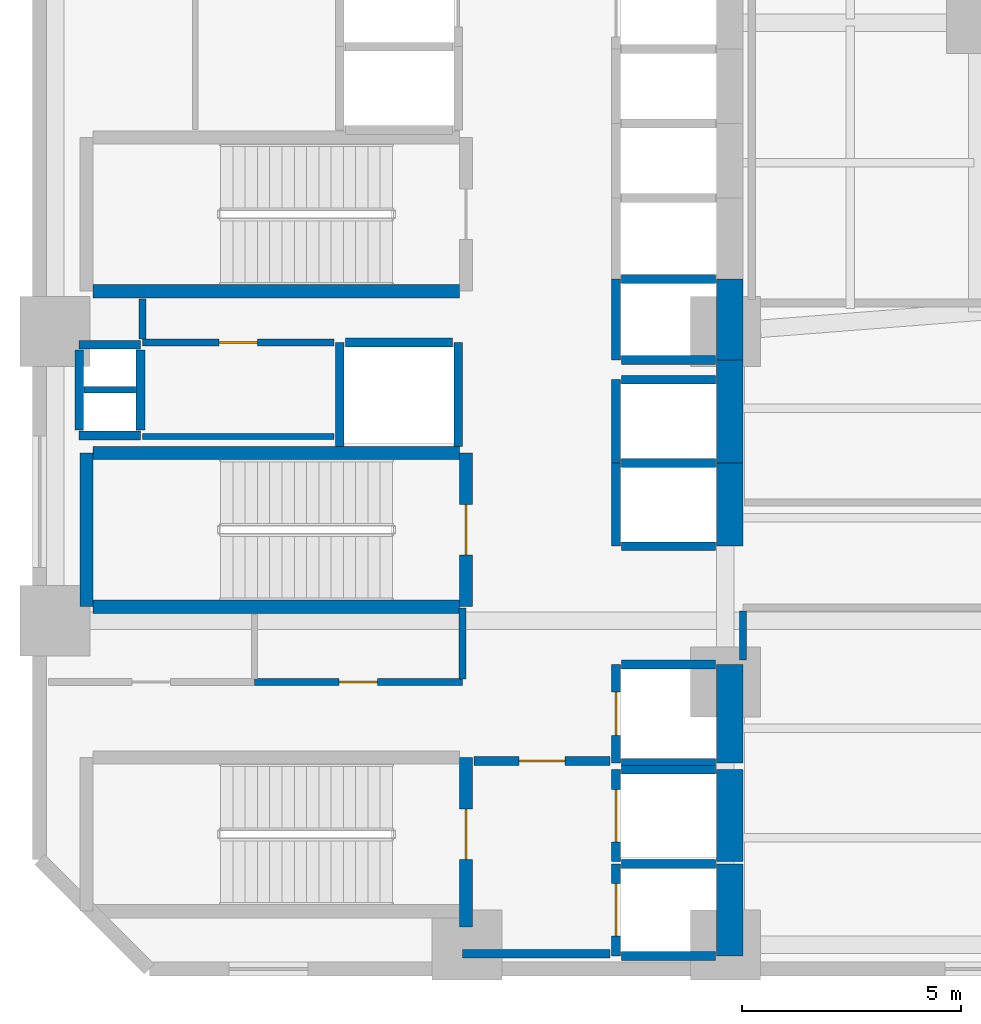
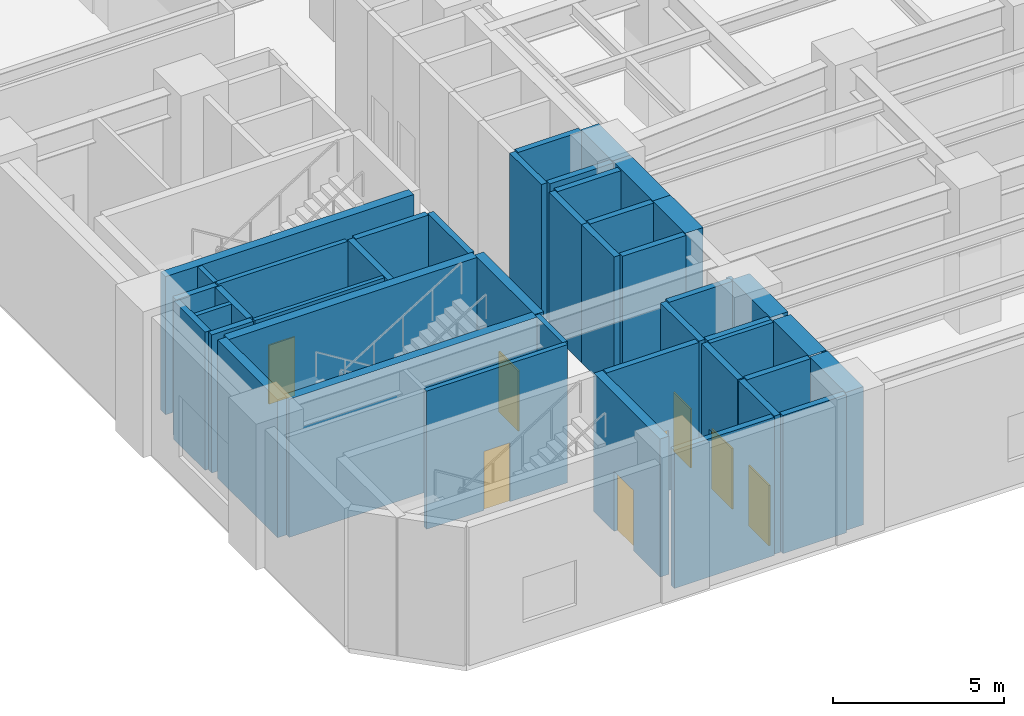
# One storey, part 14 of 22: 44 walls, 8 doors, 8 openings.
"""IFC4 building model written with IfcOpenShell, lengths in metres."""

from ifc_helpers import new_model, si_unit, direction, frame, frame_2d, origin, place, context, subcontext, project, spatial, rectangle, extrude, material, layer, layer_set, type_object, element, fill, save


model = new_model("IFC4")

# Units and contexts
model_context = context("Model", 3, precision=1e-05, world=origin(), true_north=direction((0.0, 1.0)))
body_context = subcontext(model_context, "Body", "Model", "MODEL_VIEW")
ifc_project = project(units=[si_unit("LENGTHUNIT", "METRE"), si_unit("AREAUNIT", "SQUARE_METRE"), si_unit("VOLUMEUNIT", "CUBIC_METRE"), si_unit("PLANEANGLEUNIT", "RADIAN"), si_unit("MASSUNIT", "GRAM", prefix="KILO")], contexts=[model_context])

# Site, building, storey
site_placement = place(None, origin())
site = spatial("IfcSite", under=ifc_project, at=site_placement, CompositionType="ELEMENT")
building_placement = place(site_placement, origin())
building = spatial("IfcBuilding", under=site, at=building_placement, Name="Mawjaban Terraces University", CompositionType="ELEMENT")
storey_placement = place(building_placement, frame((0.0, 0.0, 10.39990234375)))
storey = spatial("IfcBuildingStorey", under=building, at=storey_placement, Name="L02", CompositionType="ELEMENT", Elevation=10.39990234375)

# Walls
ifc_material_1 = material(Name="Concrete C70/85", Category="concrete")
ifc_layer_1 = layer(ifc_material_1, 0.60009765625)
ifc_layer_set_1 = layer_set([ifc_layer_1], Name="Concrete C70/85")
wall_type_1 = type_object("IfcWallType", Name="CoreShearWall_600", PredefinedType="SHEAR", material=ifc_layer_set_1)
wall_1_placement = place(storey_placement, frame((37.75, 0.300048828125, 0.0), z_axis=(0.0, 0.0, 1.0), x_axis=(0.0, 1.0, 0.0)))
element("IfcWall", 1, at=wall_1_placement, inside=storey, type_object=wall_type_1, Name="L02 Lift FL-1 Hoistway Wall East", PredefinedType="SHEAR", context=body_context, shape_type="SweptSolid", body=[
    extrude(rectangle(XDim=2.099853515625, YDim=0.60009765625, at=frame_2d((1.0498046875, 0.0))), origin(), (0.0, 0.0, 1.0), 4.920166015625),
])
wall_2_placement = place(storey_placement, frame((37.75, 2.449951171875, 0.0), z_axis=(0.0, 0.0, 1.0), x_axis=(0.0, 1.0, 0.0)))
element("IfcWall", 2, at=wall_2_placement, inside=storey, type_object=wall_type_1, Name="L02 Lift FL-2 Hoistway Wall East", PredefinedType="SHEAR", context=body_context, shape_type="SweptSolid", body=[
    extrude(rectangle(XDim=2.10009765625, YDim=0.60009765625, at=frame_2d((1.050048828125, 0.0))), origin(), (0.0, 0.0, 1.0), 4.920166015625),
])
wall_3_placement = place(storey_placement, frame((37.75, 4.699951171875, 0.0), z_axis=(0.0, 0.0, 1.0), x_axis=(0.0, 1.0, 0.0)))
element("IfcWall", 3, at=wall_3_placement, inside=storey, type_object=wall_type_1, Name="L02 Lift SL-1 Hoistway Wall East", PredefinedType="SHEAR", context=body_context, shape_type="SweptSolid", body=[
    extrude(rectangle(XDim=2.25, YDim=0.60009765625, at=frame_2d((1.125, 0.0))), origin(), (0.0, 0.0, 1.0), 4.920166015625),
])
wall_4_placement = place(storey_placement, frame((37.75, 9.64990234375, 0.0), z_axis=(0.0, 0.0, 1.0), x_axis=(0.0, 1.0, 0.0)))
element("IfcWall", 4, at=wall_4_placement, inside=storey, type_object=wall_type_1, Name="L02 Lift PL-H1 Hoistway Wall East", PredefinedType="SHEAR", context=body_context, shape_type="SweptSolid", body=[
    extrude(rectangle(XDim=1.900146484375, YDim=0.60009765625, at=frame_2d((0.9501953125, 0.0))), origin(), (0.0, 0.0, 1.0), 4.920166015625),
])
wall_5_placement = place(storey_placement, frame((37.75, 11.550048828125, 0.0), z_axis=(0.0, 0.0, 1.0), x_axis=(0.0, 1.0, 0.0)))
element("IfcWall", 5, at=wall_5_placement, inside=storey, type_object=wall_type_1, Name="L02 Lift PL-H2 Hoistway Wall East", PredefinedType="SHEAR", context=body_context, shape_type="SweptSolid", body=[
    extrude(rectangle(XDim=2.349853515625, YDim=0.60009765625, at=frame_2d((1.1748046875, 0.0))), origin(), (0.0, 0.0, 1.0), 4.920166015625),
])
wall_6_placement = place(storey_placement, frame((37.75, 13.89990234375, 0.0), z_axis=(0.0, 0.0, 1.0), x_axis=(0.0, 1.0, 0.0)))
element("IfcWall", 6, at=wall_6_placement, inside=storey, type_object=wall_type_1, Name="L02 Lift OL-1 Hoistway Wall East", PredefinedType="SHEAR", context=body_context, shape_type="SweptSolid", body=[
    extrude(rectangle(XDim=1.85009765625, YDim=0.60009765625, at=frame_2d((0.925048828125, 0.0))), origin(), (0.0, 0.0, 1.0), 4.920166015625),
])

# Wall, opening, door
ifc_material_2 = material(Name="Fire-rated gypsum board on steel stud", Category="steel")
ifc_layer_2 = layer(ifc_material_2, 0.159912109375)
ifc_layer_set_2 = layer_set([ifc_layer_2], Name="Fire-rated gypsum board on steel stud")
wall_type_2 = type_object("IfcWallType", Name="CorridorPartition_160", PredefinedType="PARTITIONING", material=ifc_layer_set_2)
wall_7_placement = place(storey_placement, frame((24.35009765625, 14.300048828125, 0.0), z_axis=(0.0, 0.0, 1.0), x_axis=(1.0, 0.0, 0.0)))
wall_7 = element("IfcWall", 7, at=wall_7_placement, inside=storey, type_object=wall_type_2, Name="L02 Core Riser Access Passage Partition 2", PredefinedType="PARTITIONING", context=body_context, shape_type="SweptSolid", body=[
    extrude(rectangle(XDim=4.369873046875, YDim=0.159912109375, at=frame_2d((2.18505859375, 0.0))), origin(), (0.0, 0.0, 1.0), 4.920166015625),
])
opening_1_placement = place(wall_7_placement, frame((1.7451171875, 0.0, 0.0)))
opening_1 = element("IfcOpeningElement", 8, at=opening_1_placement, cuts=wall_7, Name="Opening ID-088", PredefinedType="OPENING", context=body_context, shape_type="SweptSolid", body=[
    extrude(rectangle(XDim=0.8798828125, YDim=2.10009765625, at=frame_2d((0.43994140625, 1.050048828125))), frame((0.0, 0.08984375, 0.0), z_axis=(0.0, -1.0, 0.0), x_axis=(1.0, 0.0, 0.0)), (0.0, 0.0, 1.0), 0.179931640625),
])
ifc_material_3 = material(Name="Powder-coated steel frame and solid acoustic timber leaf", Category="steel")
door_type_1 = type_object("IfcDoorType", Name="ToiletDoor_880x2100", OperationType="NOTDEFINED", PredefinedType="DOOR", material=ifc_material_3)
door_1_placement = place(opening_1_placement, origin())
door_1 = element("IfcDoor", 9, at=door_1_placement, inside=storey, type_object=door_type_1, Name="L02 Ablution Room Door", OperationType="SINGLE_SWING_RIGHT", OverallHeight=2.10009765625, OverallWidth=0.8798828125, PredefinedType="DOOR", context=body_context, shape_type="SweptSolid", body=[
    extrude(rectangle(XDim=0.8798828125, YDim=2.10009765625, at=frame_2d((0.43994140625, 1.050048828125))), frame((0.0, 0.02490234375, 0.0), z_axis=(0.0, -1.0, 0.0), x_axis=(1.0, 0.0, 0.0)), (0.0, 0.0, 1.0), 0.050048828125),
])
fill(opening_1, door_1)

wall_8_placement = place(storey_placement, frame((31.64990234375, 6.550048828125, 0.0), z_axis=(0.0, 0.0, 1.0), x_axis=(-1.0, 0.0, 0.0)))
wall_8 = element("IfcWall", 10, at=wall_8_placement, inside=storey, type_object=wall_type_2, Name="L02 Core Washroom Lobby Partition 8", PredefinedType="PARTITIONING", context=body_context, shape_type="SweptSolid", body=[
    extrude(rectangle(XDim=4.75, YDim=0.159912109375, at=frame_2d((2.375, 0.0))), origin(), (0.0, 0.0, 1.0), 4.920166015625),
])
opening_2_placement = place(wall_8_placement, frame((1.93505859375, 0.0, 0.0)))
opening_2 = element("IfcOpeningElement", 11, at=opening_2_placement, cuts=wall_8, Name="Opening ID-088", PredefinedType="OPENING", context=body_context, shape_type="SweptSolid", body=[
    extrude(rectangle(XDim=0.8798828125, YDim=2.10009765625, at=frame_2d((0.43994140625, 1.050048828125))), frame((0.0, 0.08984375, 0.0), z_axis=(0.0, -1.0, 0.0), x_axis=(1.0, 0.0, 0.0)), (0.0, 0.0, 1.0), 0.179931640625),
])
door_2_placement = place(opening_2_placement, origin())
door_2 = element("IfcDoor", 12, at=door_2_placement, inside=storey, type_object=door_type_1, Name="L02 Accessible Toilet Door", OperationType="SINGLE_SWING_LEFT", OverallHeight=2.10009765625, OverallWidth=0.8798828125, PredefinedType="DOOR", context=body_context, shape_type="SweptSolid", body=[
    extrude(rectangle(XDim=0.8798828125, YDim=2.10009765625, at=frame_2d((0.43994140625, 1.050048828125))), frame((0.0, 0.02490234375, 0.0), z_axis=(0.0, -1.0, 0.0), x_axis=(1.0, 0.0, 0.0)), (0.0, 0.0, 1.0), 0.050048828125),
])
fill(opening_2, door_2)

# Walls
wall_9_placement = place(storey_placement, frame((24.35009765625, 15.2900390625, 0.0), z_axis=(0.0, 0.0, 1.0), x_axis=(0.0, -1.0, 0.0)))
element("IfcWall", 13, at=wall_9_placement, inside=storey, type_object=wall_type_2, Name="L02 Core Riser Access Passage Partition 23", PredefinedType="PARTITIONING", context=body_context, shape_type="SweptSolid", body=[
    extrude(rectangle(XDim=0.9150390625, YDim=0.159912109375, at=frame_2d((0.45751953125, 0.0))), origin(), (0.0, 0.0, 1.0), 4.920166015625),
])
wall_10_placement = place(storey_placement, frame((31.64990234375, 8.239990234375, 0.0), z_axis=(0.0, 0.0, 1.0), x_axis=(0.0, -1.0, 0.0)))
element("IfcWall", 14, at=wall_10_placement, inside=storey, type_object=wall_type_2, Name="L02 Passenger Lift Lobby Partition 27", PredefinedType="PARTITIONING", context=body_context, shape_type="SweptSolid", body=[
    extrude(rectangle(XDim=1.614990234375, YDim=0.159912109375, at=frame_2d((0.8076171875, 0.0))), origin(), (0.0, 0.0, 1.0), 4.920166015625),
])
wall_11_placement = place(storey_placement, frame((38.050048828125, 7.050048828125, 0.0), z_axis=(0.0, 0.0, 1.0), x_axis=(0.0, 1.0, 0.0)))
element("IfcWall", 15, at=wall_11_placement, inside=storey, type_object=wall_type_2, Name="L02 Core Stair and Lift Lobby East Partition 32", PredefinedType="PARTITIONING", context=body_context, shape_type="SweptSolid", body=[
    extrude(rectangle(XDim=1.125, YDim=0.159912109375, at=frame_2d((0.5625, 0.0))), origin(), (0.0, 0.0, 1.0), 4.065185546875),
])

# Wall, opening, door
ifc_material_4 = material(Name="Concrete C40/50", Category="concrete")
ifc_layer_3 = layer(ifc_material_4, 0.199951171875)
ifc_layer_set_3 = layer_set([ifc_layer_3], Name="Concrete C40/50")
wall_type_3 = type_object("IfcWallType", Name="FireLobbyWall_200", PredefinedType="SOLIDWALL", material=ifc_layer_set_3)
wall_12_placement = place(storey_placement, frame((35.14990234375, 2.39990234375, 0.0), z_axis=(0.0, 0.0, 1.0), x_axis=(0.0, -1.0, 0.0)))
wall_12 = element("IfcWall", 16, at=wall_12_placement, inside=storey, type_object=wall_type_3, Name="L02 Lift FL-1 Hoistway Wall West", PredefinedType="SOLIDWALL", context=body_context, shape_type="SweptSolid", body=[
    extrude(rectangle(XDim=2.099853515625, YDim=0.199951171875, at=frame_2d((1.0498046875, 0.0))), origin(), (0.0, 0.0, 1.0), 4.920166015625),
])
opening_3_placement = place(wall_12_placement, frame((0.449951171875, 0.0, 0.0)))
opening_3 = element("IfcOpeningElement", 17, at=opening_3_placement, cuts=wall_12, Name="Opening LD-FL-1", PredefinedType="OPENING", context=body_context, shape_type="SweptSolid", body=[
    extrude(rectangle(XDim=1.199951171875, YDim=2.14990234375, at=frame_2d((0.60009765625, 1.074951171875))), frame((0.0, 0.10986328125, 0.0), z_axis=(0.0, -1.0, 0.0), x_axis=(1.0, 0.0, 0.0)), (0.0, 0.0, 1.0), 0.219970703125),
])
ifc_material_5 = material(Name="Powder-coated steel frame and fire-rated steel-faced leaf", Category="steel")
door_type_2 = type_object("IfcDoorType", Name="LiftLandingFSAE_1200x2150", OperationType="NOTDEFINED", PredefinedType="DOOR", material=ifc_material_5)
door_3_placement = place(opening_3_placement, origin())
door_3 = element("IfcDoor", 18, at=door_3_placement, inside=storey, type_object=door_type_2, Name="L02 Lift FL-1 Sliding Landing Door", OperationType="DOUBLE_DOOR_SLIDING", OverallHeight=2.14990234375, OverallWidth=1.199951171875, PredefinedType="DOOR", context=body_context, shape_type="SweptSolid", body=[
    extrude(rectangle(XDim=1.199951171875, YDim=2.14990234375, at=frame_2d((0.60009765625, 1.074951171875))), frame((0.0, 0.02490234375, 0.0), z_axis=(0.0, -1.0, 0.0), x_axis=(1.0, 0.0, 0.0)), (0.0, 0.0, 1.0), 0.050048828125),
])
fill(opening_3, door_3)

# Walls
for number, where, z_axis, x_axis, name in (
    (19, (35.280029296875, 0.300048828125, 0.0), (0.0, 0.0, 1.0), (1.0, 0.0, 0.0), "L02 Lift FL-1 Hoistway Wall South"),
    (20, (37.419921875, 2.39990234375, 0.0), (0.0, 0.0, 1.0), (-1.0, 0.0, 0.0), "L02 Lift FL-1 Hoistway Wall North"),
):
    element("IfcWall", number, at=place(storey_placement, frame(where, z_axis=z_axis, x_axis=x_axis)), inside=storey, type_object=wall_type_3, Name=name, PredefinedType="SOLIDWALL", context=body_context, shape_type="SweptSolid", body=[
        extrude(rectangle(XDim=2.139892578125, YDim=0.199951171875, at=frame_2d((1.06982421875, 0.0))), origin(), (0.0, 0.0, 1.0), 4.920166015625),
    ])

# Wall, opening, door
wall_13_placement = place(storey_placement, frame((35.14990234375, 4.550048828125, 0.0), z_axis=(0.0, 0.0, 1.0), x_axis=(0.0, -1.0, 0.0)))
wall_13 = element("IfcWall", 21, at=wall_13_placement, inside=storey, type_object=wall_type_3, Name="L02 Lift FL-2 Hoistway Wall West", PredefinedType="SOLIDWALL", context=body_context, shape_type="SweptSolid", body=[
    extrude(rectangle(XDim=2.10009765625, YDim=0.199951171875, at=frame_2d((1.050048828125, 0.0))), origin(), (0.0, 0.0, 1.0), 4.920166015625),
])
opening_4_placement = place(wall_13_placement, frame((0.449951171875, 0.0, 0.0)))
opening_4 = element("IfcOpeningElement", 22, at=opening_4_placement, cuts=wall_13, Name="Opening LD-FL-2", PredefinedType="OPENING", context=body_context, shape_type="SweptSolid", body=[
    extrude(rectangle(XDim=1.199951171875, YDim=2.14990234375, at=frame_2d((0.60009765625, 1.074951171875))), frame((0.0, 0.10986328125, 0.0), z_axis=(0.0, -1.0, 0.0), x_axis=(1.0, 0.0, 0.0)), (0.0, 0.0, 1.0), 0.219970703125),
])
door_4_placement = place(opening_4_placement, origin())
door_4 = element("IfcDoor", 23, at=door_4_placement, inside=storey, type_object=door_type_2, Name="L02 Lift FL-2 Sliding Landing Door", OperationType="DOUBLE_DOOR_SLIDING", OverallHeight=2.14990234375, OverallWidth=1.199951171875, PredefinedType="DOOR", context=body_context, shape_type="SweptSolid", body=[
    extrude(rectangle(XDim=1.199951171875, YDim=2.14990234375, at=frame_2d((0.60009765625, 1.074951171875))), frame((0.0, 0.02490234375, 0.0), z_axis=(0.0, -1.0, 0.0), x_axis=(1.0, 0.0, 0.0)), (0.0, 0.0, 1.0), 0.050048828125),
])
fill(opening_4, door_4)

# Wall
wall_14_placement = place(storey_placement, frame((37.419921875, 4.550048828125, 0.0), z_axis=(0.0, 0.0, 1.0), x_axis=(-1.0, 0.0, 0.0)))
element("IfcWall", 24, at=wall_14_placement, inside=storey, type_object=wall_type_3, Name="L02 Lift FL-2 Hoistway Wall North", PredefinedType="SOLIDWALL", context=body_context, shape_type="SweptSolid", body=[
    extrude(rectangle(XDim=2.139892578125, YDim=0.199951171875, at=frame_2d((1.06982421875, 0.0))), origin(), (0.0, 0.0, 1.0), 4.920166015625),
])

# Wall, opening, door
wall_15_placement = place(storey_placement, frame((35.14990234375, 6.949951171875, 0.0), z_axis=(0.0, 0.0, 1.0), x_axis=(0.0, -1.0, 0.0)))
wall_15 = element("IfcWall", 25, at=wall_15_placement, inside=storey, type_object=wall_type_3, Name="L02 Lift SL-1 Hoistway Wall West", PredefinedType="SOLIDWALL", context=body_context, shape_type="SweptSolid", body=[
    extrude(rectangle(XDim=2.25, YDim=0.199951171875, at=frame_2d((1.125, 0.0))), origin(), (0.0, 0.0, 1.0), 4.920166015625),
])
opening_5_placement = place(wall_15_placement, frame((0.625, 0.0, 0.0)))
opening_5 = element("IfcOpeningElement", 26, at=opening_5_placement, cuts=wall_15, Name="Opening LD-SL-1", PredefinedType="OPENING", context=body_context, shape_type="SweptSolid", body=[
    extrude(rectangle(XDim=1.0, YDim=2.10009765625, at=frame_2d((0.5, 1.050048828125))), frame((0.0, 0.10986328125, 0.0), z_axis=(0.0, -1.0, 0.0), x_axis=(1.0, 0.0, 0.0)), (0.0, 0.0, 1.0), 0.219970703125),
])
door_type_3 = type_object("IfcDoorType", Name="LiftLandingSliding_1000x2100", OperationType="NOTDEFINED", PredefinedType="DOOR", material=ifc_material_5)
door_5_placement = place(opening_5_placement, origin())
door_5 = element("IfcDoor", 27, at=door_5_placement, inside=storey, type_object=door_type_3, Name="L02 Lift SL-1 Sliding Landing Door", OperationType="DOUBLE_DOOR_SLIDING", OverallHeight=2.10009765625, OverallWidth=1.0, PredefinedType="DOOR", context=body_context, shape_type="SweptSolid", body=[
    extrude(rectangle(XDim=1.0, YDim=2.10009765625, at=frame_2d((0.5, 1.050048828125))), frame((0.0, 0.02490234375, 0.0), z_axis=(0.0, -1.0, 0.0), x_axis=(1.0, 0.0, 0.0)), (0.0, 0.0, 1.0), 0.050048828125),
])
fill(opening_5, door_5)

# Walls
for number, where, z_axis, x_axis, name in (
    (28, (35.280029296875, 4.699951171875, 0.0), (0.0, 0.0, 1.0), (1.0, 0.0, 0.0), "L02 Lift SL-1 Hoistway Wall South"),
    (29, (37.419921875, 6.949951171875, 0.0), (0.0, 0.0, 1.0), (-1.0, 0.0, 0.0), "L02 Lift SL-1 Hoistway Wall North"),
):
    element("IfcWall", number, at=place(storey_placement, frame(where, z_axis=z_axis, x_axis=x_axis)), inside=storey, type_object=wall_type_3, Name=name, PredefinedType="SOLIDWALL", context=body_context, shape_type="SweptSolid", body=[
        extrude(rectangle(XDim=2.139892578125, YDim=0.199951171875, at=frame_2d((1.06982421875, 0.0))), origin(), (0.0, 0.0, 1.0), 4.920166015625),
    ])
wall_16_placement = place(storey_placement, frame((35.14990234375, 11.550048828125, 0.0), z_axis=(0.0, 0.0, 1.0), x_axis=(0.0, -1.0, 0.0)))
element("IfcWall", 30, at=wall_16_placement, inside=storey, type_object=wall_type_3, Name="L02 Lift PL-H1 Hoistway Wall West", PredefinedType="SOLIDWALL", context=body_context, shape_type="SweptSolid", body=[
    extrude(rectangle(XDim=1.900146484375, YDim=0.199951171875, at=frame_2d((0.9501953125, 0.0))), origin(), (0.0, 0.0, 1.0), 4.920166015625),
])
for number, where, z_axis, x_axis, name in (
    (31, (35.280029296875, 9.64990234375, 0.0), (0.0, 0.0, 1.0), (1.0, 0.0, 0.0), "L02 Lift PL-H1 Hoistway Wall South"),
    (32, (37.419921875, 11.550048828125, 0.0), (0.0, 0.0, 1.0), (-1.0, 0.0, 0.0), "L02 Lift PL-H1 Hoistway Wall North"),
):
    element("IfcWall", number, at=place(storey_placement, frame(where, z_axis=z_axis, x_axis=x_axis)), inside=storey, type_object=wall_type_3, Name=name, PredefinedType="SOLIDWALL", context=body_context, shape_type="SweptSolid", body=[
        extrude(rectangle(XDim=2.139892578125, YDim=0.199951171875, at=frame_2d((1.06982421875, 0.0))), origin(), (0.0, 0.0, 1.0), 4.920166015625),
    ])
wall_17_placement = place(storey_placement, frame((35.14990234375, 13.449951171875, 0.0), z_axis=(0.0, 0.0, 1.0), x_axis=(0.0, -1.0, 0.0)))
element("IfcWall", 33, at=wall_17_placement, inside=storey, type_object=wall_type_3, Name="L02 Lift PL-H2 Hoistway Wall West", PredefinedType="SOLIDWALL", context=body_context, shape_type="SweptSolid", body=[
    extrude(rectangle(XDim=1.89990234375, YDim=0.199951171875, at=frame_2d((0.949951171875, 0.0))), origin(), (0.0, 0.0, 1.0), 4.920166015625),
])
wall_18_placement = place(storey_placement, frame((37.419921875, 13.449951171875, 0.0), z_axis=(0.0, 0.0, 1.0), x_axis=(-1.0, 0.0, 0.0)))
element("IfcWall", 34, at=wall_18_placement, inside=storey, type_object=wall_type_3, Name="L02 Lift PL-H2 Hoistway Wall North", PredefinedType="SOLIDWALL", context=body_context, shape_type="SweptSolid", body=[
    extrude(rectangle(XDim=2.139892578125, YDim=0.199951171875, at=frame_2d((1.06982421875, 0.0))), origin(), (0.0, 0.0, 1.0), 4.920166015625),
])
for number, where, z_axis, x_axis, name in (
    (35, (28.85009765625, 14.300048828125, 0.0), (0.0, 0.0, 1.0), (0.0, -1.0, 0.0), "L02 Lift PL-H3 Hoistway Wall West"),
    (36, (31.550048828125, 11.929931640625, 0.0), (0.0, 0.0, 1.0), (0.0, 1.0, 0.0), "L02 Lift PL-H3 Hoistway Wall East"),
):
    element("IfcWall", number, at=place(storey_placement, frame(where, z_axis=z_axis, x_axis=x_axis)), inside=storey, type_object=wall_type_3, Name=name, PredefinedType="SOLIDWALL", context=body_context, shape_type="SweptSolid", body=[
        extrude(rectangle(XDim=2.3701171875, YDim=0.199951171875, at=frame_2d((1.18505859375, 0.0))), origin(), (0.0, 0.0, 1.0), 4.920166015625),
    ])
wall_19_placement = place(storey_placement, frame((31.419921875, 14.300048828125, 0.0), z_axis=(0.0, 0.0, 1.0), x_axis=(-1.0, 0.0, 0.0)))
element("IfcWall", 37, at=wall_19_placement, inside=storey, type_object=wall_type_3, Name="L02 Lift PL-H3 Hoistway Wall North", PredefinedType="SOLIDWALL", context=body_context, shape_type="SweptSolid", body=[
    extrude(rectangle(XDim=2.43994140625, YDim=0.199951171875, at=frame_2d((1.219970703125, 0.0))), origin(), (0.0, 0.0, 1.0), 4.920166015625),
])
wall_20_placement = place(storey_placement, frame((35.14990234375, 15.75, 0.0), z_axis=(0.0, 0.0, 1.0), x_axis=(0.0, -1.0, 0.0)))
element("IfcWall", 38, at=wall_20_placement, inside=storey, type_object=wall_type_3, Name="L02 Lift OL-1 Hoistway Wall West", PredefinedType="SOLIDWALL", context=body_context, shape_type="SweptSolid", body=[
    extrude(rectangle(XDim=1.85009765625, YDim=0.199951171875, at=frame_2d((0.925048828125, 0.0))), origin(), (0.0, 0.0, 1.0), 4.920166015625),
])
for number, where, z_axis, x_axis, name in (
    (39, (35.280029296875, 13.89990234375, 0.0), (0.0, 0.0, 1.0), (1.0, 0.0, 0.0), "L02 Lift OL-1 Hoistway Wall South"),
    (40, (37.419921875, 15.75, 0.0), (0.0, 0.0, 1.0), (-1.0, 0.0, 0.0), "L02 Lift OL-1 Hoistway Wall North"),
):
    element("IfcWall", number, at=place(storey_placement, frame(where, z_axis=z_axis, x_axis=x_axis)), inside=storey, type_object=wall_type_3, Name=name, PredefinedType="SOLIDWALL", context=body_context, shape_type="SweptSolid", body=[
        extrude(rectangle(XDim=2.139892578125, YDim=0.199951171875, at=frame_2d((1.06982421875, 0.0))), origin(), (0.0, 0.0, 1.0), 4.920166015625),
    ])
for number, where, z_axis, x_axis, name in (
    (41, (22.89990234375, 14.25, 0.0), (0.0, 0.0, 1.0), (1.0, 0.0, 0.0), "L02 MEP Riser Shaft Wall N"),
    (42, (22.89990234375, 12.179931640625, 0.0), (0.0, 0.0, 1.0), (1.0, 0.0, 0.0), "L02 MEP Riser Shaft Wall S"),
):
    element("IfcWall", number, at=place(storey_placement, frame(where, z_axis=z_axis, x_axis=x_axis)), inside=storey, type_object=wall_type_3, Name=name, PredefinedType="SOLIDWALL", context=body_context, shape_type="SweptSolid", body=[
        extrude(rectangle(XDim=1.400146484375, YDim=0.199951171875, at=frame_2d((0.7001953125, 0.0))), origin(), (0.0, 0.0, 1.0), 4.920166015625),
    ])
for number, where, z_axis, x_axis, name in (
    (43, (24.300048828125, 12.300048828125, 0.0), (0.0, 0.0, 1.0), (0.0, 1.0, 0.0), "L02 MEP Riser Shaft Wall E"),
    (44, (22.89990234375, 12.300048828125, 0.0), (0.0, 0.0, 1.0), (0.0, 1.0, 0.0), "L02 MEP Riser Shaft Wall W"),
):
    element("IfcWall", number, at=place(storey_placement, frame(where, z_axis=z_axis, x_axis=x_axis)), inside=storey, type_object=wall_type_3, Name=name, PredefinedType="SOLIDWALL", context=body_context, shape_type="SweptSolid", body=[
        extrude(rectangle(XDim=1.829833984375, YDim=0.199951171875, at=frame_2d((0.9150390625, 0.0))), origin(), (0.0, 0.0, 1.0), 4.920166015625),
    ])
wall_21_placement = place(storey_placement, frame((31.64990234375, 0.35009765625, 0.0), z_axis=(0.0, 0.0, 1.0), x_axis=(1.0, 0.0, 0.0)))
element("IfcWall", 45, at=wall_21_placement, inside=storey, type_object=wall_type_3, Name="L02 Firefighting Lift Lobby Partition 7", PredefinedType="SOLIDWALL", context=body_context, shape_type="SweptSolid", body=[
    extrude(rectangle(XDim=3.3701171875, YDim=0.199951171875, at=frame_2d((1.68505859375, 0.0))), origin(), (0.0, 0.0, 1.0), 4.920166015625),
])

# Wall, opening, door
wall_22_placement = place(storey_placement, frame((35.02001953125, 4.75, 0.0), z_axis=(0.0, 0.0, 1.0), x_axis=(-1.0, 0.0, 0.0)))
wall_22 = element("IfcWall", 46, at=wall_22_placement, inside=storey, type_object=wall_type_3, Name="L02 Firefighting Lift Lobby Partition 11", PredefinedType="SOLIDWALL", context=body_context, shape_type="SweptSolid", body=[
    extrude(rectangle(XDim=3.110107421875, YDim=0.199951171875, at=frame_2d((1.55517578125, 0.0))), origin(), (0.0, 0.0, 1.0), 4.920166015625),
])
opening_6_placement = place(wall_22_placement, frame((1.030029296875, 0.0, 0.0)))
opening_6 = element("IfcOpeningElement", 47, at=opening_6_placement, cuts=wall_22, Name="Opening FD-105", PredefinedType="OPENING", context=body_context, shape_type="SweptSolid", body=[
    extrude(rectangle(XDim=1.050048828125, YDim=2.14990234375, at=frame_2d((0.52490234375, 1.074951171875))), frame((0.0, 0.10986328125, 0.0), z_axis=(0.0, -1.0, 0.0), x_axis=(1.0, 0.0, 0.0)), (0.0, 0.0, 1.0), 0.219970703125),
])
door_type_4 = type_object("IfcDoorType", Name="FireLobbyDoor_1050x2150", OperationType="NOTDEFINED", PredefinedType="DOOR", material=ifc_material_5)
door_6_placement = place(opening_6_placement, origin())
door_6 = element("IfcDoor", 48, at=door_6_placement, inside=storey, type_object=door_type_4, Name="L02 Firefighting Lift Lobby Door", OperationType="SINGLE_SWING_LEFT", OverallHeight=2.14990234375, OverallWidth=1.050048828125, PredefinedType="DOOR", context=body_context, shape_type="SweptSolid", body=[
    extrude(rectangle(XDim=1.050048828125, YDim=2.14990234375, at=frame_2d((0.52490234375, 1.074951171875))), frame((0.0, 0.02490234375, 0.0), z_axis=(0.0, -1.0, 0.0), x_axis=(1.0, 0.0, 0.0)), (0.0, 0.0, 1.0), 0.050048828125),
])
fill(opening_6, door_6)

# Wall
ifc_material_6 = material(Name="Moisture-resistant gypsum board on steel stud", Category="steel")
ifc_layer_4 = layer(ifc_material_6, 0.14501953125)
ifc_layer_set_4 = layer_set([ifc_layer_4], Name="Moisture-resistant gypsum board on steel stud")
wall_type_4 = type_object("IfcWallType", Name="LabPartition_145", PredefinedType="PARTITIONING", material=ifc_layer_set_4)
wall_23_placement = place(storey_placement, frame((23.010009765625, 13.22509765625, 0.0), z_axis=(0.0, 0.0, 1.0), x_axis=(1.0, 0.0, 0.0)))
element("IfcWall", 49, at=wall_23_placement, inside=storey, type_object=wall_type_4, Name="L02 MEP Riser Shaft Wall M", PredefinedType="PARTITIONING", context=body_context, shape_type="SweptSolid", body=[
    extrude(rectangle(XDim=1.179931640625, YDim=0.14501953125, at=frame_2d((0.58984375, 0.0))), origin(), (0.0, 0.0, 1.0), 4.920166015625),
])

# Wall, opening, door
ifc_material_7 = material(Name="Concrete C60/75", Category="concrete")
ifc_layer_5 = layer(ifc_material_7, 0.300048828125)
ifc_layer_set_5 = layer_set([ifc_layer_5], Name="Concrete C60/75")
wall_type_5 = type_object("IfcWallType", Name="StairShaftWall_300", PredefinedType="SHEAR", material=ifc_layer_set_5)
wall_24_placement = place(storey_placement, frame((31.72998046875, 0.9599609375, 0.0), z_axis=(0.0, 0.0, 1.0), x_axis=(0.0, 1.0, 0.0)))
wall_24 = element("IfcWall", 50, at=wall_24_placement, inside=storey, type_object=wall_type_5, Name="L02 ST-1 Stair Shaft Wall 4", PredefinedType="SHEAR", context=body_context, shape_type="SweptSolid", body=[
    extrude(rectangle(XDim=3.8701171875, YDim=0.300048828125, at=frame_2d((1.93505859375, 0.0))), origin(), (0.0, 0.0, 1.0), 4.920166015625),
])
opening_7_placement = place(wall_24_placement, frame((1.5400390625, 0.0, 0.0)))
opening_7 = element("IfcOpeningElement", 51, at=opening_7_placement, cuts=wall_24, Name="Opening FD-115", PredefinedType="OPENING", context=body_context, shape_type="SweptSolid", body=[
    extrude(rectangle(XDim=1.14990234375, YDim=2.14990234375, at=frame_2d((0.574951171875, 1.074951171875))), frame((0.0, 0.159912109375, 0.0), z_axis=(0.0, -1.0, 0.0), x_axis=(1.0, 0.0, 0.0)), (0.0, 0.0, 1.0), 0.320068359375),
])
door_type_5 = type_object("IfcDoorType", Name="FireStairDoor_1150x2150", OperationType="NOTDEFINED", PredefinedType="DOOR", material=ifc_material_5)
door_7_placement = place(opening_7_placement, origin())
door_7 = element("IfcDoor", 52, at=door_7_placement, inside=storey, type_object=door_type_5, Name="L02 ST-1 Pressurised Stair Fire Door", OperationType="SINGLE_SWING_RIGHT", OverallHeight=2.14990234375, OverallWidth=1.14990234375, PredefinedType="DOOR", context=body_context, shape_type="SweptSolid", body=[
    extrude(rectangle(XDim=1.14990234375, YDim=2.14990234375, at=frame_2d((0.574951171875, 1.074951171875))), frame((0.0, 0.02490234375, 0.0), z_axis=(0.0, -1.0, 0.0), x_axis=(1.0, 0.0, 0.0)), (0.0, 0.0, 1.0), 0.050048828125),
])
fill(opening_7, door_7)

# Walls
for number, where, z_axis, x_axis, name in (
    (53, (23.219970703125, 15.469970703125, 0.0), (0.0, 0.0, 1.0), (1.0, 0.0, 0.0), "L02 ST-2 Stair Shaft Wall 3"),
    (54, (31.580078125, 11.780029296875, 0.0), (0.0, 0.0, 1.0), (-1.0, 0.0, 0.0), "L02 ST-3 Stair Shaft Wall 1"),
):
    element("IfcWall", number, at=place(storey_placement, frame(where, z_axis=z_axis, x_axis=x_axis)), inside=storey, type_object=wall_type_5, Name=name, PredefinedType="SHEAR", context=body_context, shape_type="SweptSolid", body=[
        extrude(rectangle(XDim=8.360107421875, YDim=0.300048828125, at=frame_2d((4.18017578125, 0.0))), origin(), (0.0, 0.0, 1.0), 4.920166015625),
    ])
wall_25_placement = place(storey_placement, frame((23.070068359375, 11.780029296875, 0.0), z_axis=(0.0, 0.0, 1.0), x_axis=(0.0, -1.0, 0.0)))
element("IfcWall", 55, at=wall_25_placement, inside=storey, type_object=wall_type_5, Name="L02 ST-3 Stair Shaft Wall 2", PredefinedType="SHEAR", context=body_context, shape_type="SweptSolid", body=[
    extrude(rectangle(XDim=3.510009765625, YDim=0.300048828125, at=frame_2d((1.7548828125, 0.0))), origin(), (0.0, 0.0, 1.0), 4.920166015625),
])
wall_26_placement = place(storey_placement, frame((23.219970703125, 8.27001953125, 0.0), z_axis=(0.0, 0.0, 1.0), x_axis=(1.0, 0.0, 0.0)))
element("IfcWall", 56, at=wall_26_placement, inside=storey, type_object=wall_type_5, Name="L02 ST-3 Stair Shaft Wall 3", PredefinedType="SHEAR", context=body_context, shape_type="SweptSolid", body=[
    extrude(rectangle(XDim=8.360107421875, YDim=0.300048828125, at=frame_2d((4.18017578125, 0.0))), origin(), (0.0, 0.0, 1.0), 4.920166015625),
])

# Wall, opening, door
wall_27_placement = place(storey_placement, frame((31.72998046875, 8.27001953125, 0.0), z_axis=(0.0, 0.0, 1.0), x_axis=(0.0, 1.0, 0.0)))
wall_27 = element("IfcWall", 57, at=wall_27_placement, inside=storey, type_object=wall_type_5, Name="L02 ST-3 Stair Shaft Wall 4", PredefinedType="SHEAR", context=body_context, shape_type="SweptSolid", body=[
    extrude(rectangle(XDim=3.510009765625, YDim=0.300048828125, at=frame_2d((1.7548828125, 0.0))), origin(), (0.0, 0.0, 1.0), 4.920166015625),
])
opening_8_placement = place(wall_27_placement, frame((1.179931640625, 0.0, 0.0)))
opening_8 = element("IfcOpeningElement", 58, at=opening_8_placement, cuts=wall_27, Name="Opening FD-115", PredefinedType="OPENING", context=body_context, shape_type="SweptSolid", body=[
    extrude(rectangle(XDim=1.14990234375, YDim=2.14990234375, at=frame_2d((0.574951171875, 1.074951171875))), frame((0.0, 0.159912109375, 0.0), z_axis=(0.0, -1.0, 0.0), x_axis=(1.0, 0.0, 0.0)), (0.0, 0.0, 1.0), 0.320068359375),
])
door_8_placement = place(opening_8_placement, origin())
door_8 = element("IfcDoor", 59, at=door_8_placement, inside=storey, type_object=door_type_5, Name="L02 ST-3 Pressurised Stair Fire Door", OperationType="SINGLE_SWING_RIGHT", OverallHeight=2.14990234375, OverallWidth=1.14990234375, PredefinedType="DOOR", context=body_context, shape_type="SweptSolid", body=[
    extrude(rectangle(XDim=1.14990234375, YDim=2.14990234375, at=frame_2d((0.574951171875, 1.074951171875))), frame((0.0, 0.02490234375, 0.0), z_axis=(0.0, -1.0, 0.0), x_axis=(1.0, 0.0, 0.0)), (0.0, 0.0, 1.0), 0.050048828125),
])
fill(opening_8, door_8)

# Wall
ifc_material_8 = material(Name="Cement-board wet-room partition", Category="masonry")
ifc_layer_6 = layer(ifc_material_8, 0.135009765625)
ifc_layer_set_6 = layer_set([ifc_layer_6], Name="Cement-board wet-room partition")
wall_type_6 = type_object("IfcWallType", Name="WetRoomPartition_135", PredefinedType="PARTITIONING", material=ifc_layer_set_6)
wall_28_placement = place(storey_placement, frame((24.35009765625, 12.14990234375, 0.0), z_axis=(0.0, 0.0, 1.0), x_axis=(1.0, 0.0, 0.0)))
element("IfcWall", 60, at=wall_28_placement, inside=storey, type_object=wall_type_6, Name="L02 Ablution Room Partition 1", PredefinedType="PARTITIONING", context=body_context, shape_type="SweptSolid", body=[
    extrude(rectangle(XDim=4.369873046875, YDim=0.135009765625, at=frame_2d((2.18505859375, 0.0))), origin(), (0.0, 0.0, 1.0), 4.920166015625),
])

save(model, "model.ifc")
